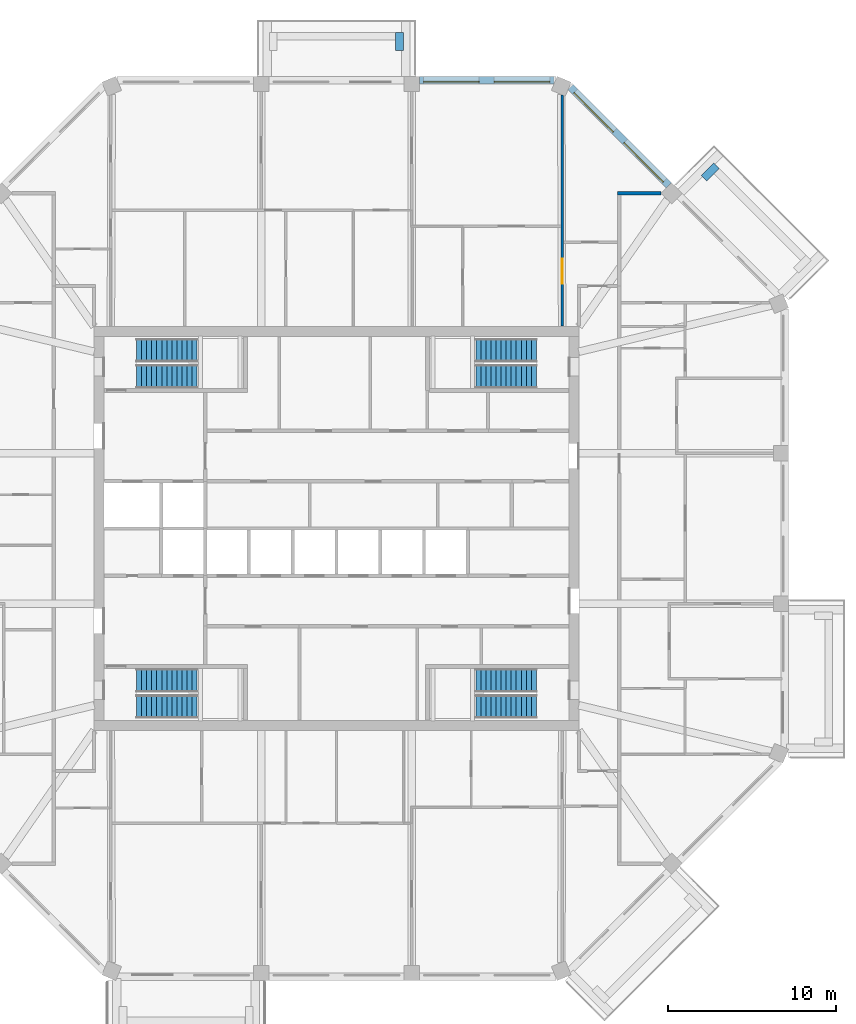
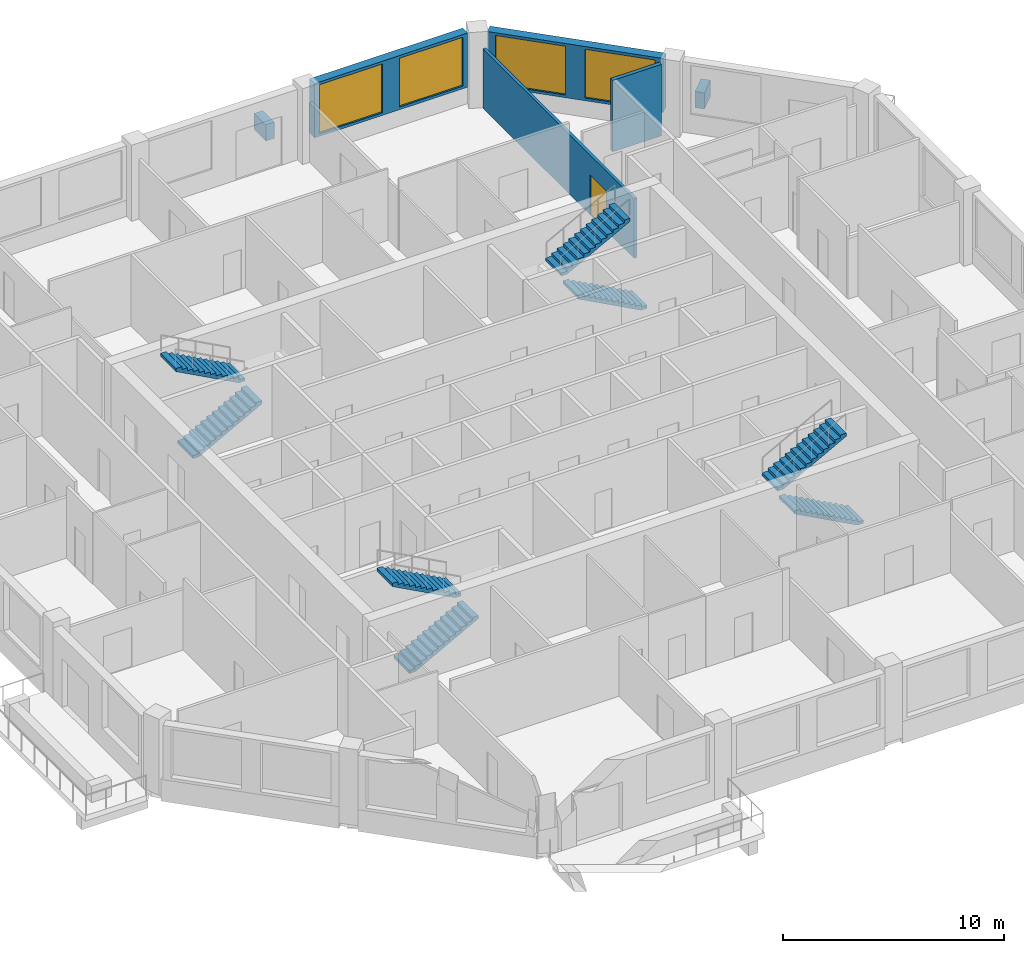
# One storey, part 10 of 11: 8 stair flights, 6 walls, 4 windows, 1 door, 5 openings, 4 elements without a shape of their own.
"""IFC4 building model written with IfcOpenShell, lengths in metres."""

import ifcopenshell
import ifcopenshell.guid

model = None  # the IFC model being written
_history = None  # IfcOwnerHistory: only IFC2X3 demands one
_inside = {}  # id of a spatial element -> (the spatial element, [elements in it])
_under = {}  # id of a project, library or spatial element -> (it, [spatial elements below it])
_declared = {}  # id of a project -> (the project, [libraries it declares])
_typed = {}  # id of a type object -> (the type object, [elements of that type])
_made_of = {}  # id of a material, layer set ... -> (it, [elements and type objects made of it])


def new_model(schema):
    """Start an empty IFC model of exactly this schema.

    Asked for "IFC4X3", IfcOpenShell would pick the latest addendum, in which some entities
    have other attributes; the version numbers below select the first issue.
    IFC2X3 requires an IfcOwnerHistory on every rooted entity: one is made here for all.
    """
    global model, _history
    if schema == "IFC4X3":
        model = ifcopenshell.file(schema_version=(4, 3, 0, 0))
    else:
        model = ifcopenshell.file(schema=schema)
    _inside.clear()
    _under.clear()
    _declared.clear()
    _typed.clear()
    _made_of.clear()
    _history = None
    if model.schema == "IFC2X3":
        org = make("IfcOrganization", Name="unknown")
        user = make(
            "IfcPersonAndOrganization",
            ThePerson=make("IfcPerson", FamilyName="unknown"),
            TheOrganization=org,
        )
        app = make(
            "IfcApplication",
            ApplicationDeveloper=org,
            Version="unknown",
            ApplicationFullName="unknown",
            ApplicationIdentifier="unknown",
        )
        _history = make(
            "IfcOwnerHistory",
            OwningUser=user,
            OwningApplication=app,
            ChangeAction="ADDED",
            CreationDate=0,
        )
    return model


def make(cls, **values):
    """One entity of the class cls with the attributes given. An attribute that is None is left unset."""
    return model.create_entity(
        cls, **{name: value for name, value in values.items() if value is not None}
    )


def rooted(cls, **values):
    """An entity with a GlobalId (a new one), such as an element, a storey or a relation."""
    return make(cls, GlobalId=ifcopenshell.guid.new(), OwnerHistory=_history, **values)


def si_unit(unit_type, name, prefix=None):
    """IfcSIUnit, for example si_unit("LENGTHUNIT", "METRE", prefix="MILLI")."""
    return make("IfcSIUnit", UnitType=unit_type, Prefix=prefix, Name=name)


def assignment(units):
    """IfcUnitAssignment: the units of a project."""
    return None if units is None else make("IfcUnitAssignment", Units=units)


def point(xyz):
    """IfcCartesianPoint."""
    return None if xyz is None else make("IfcCartesianPoint", Coordinates=xyz)


def direction(xyz):
    """IfcDirection."""
    return None if xyz is None else make("IfcDirection", DirectionRatios=xyz)


def frame(location, z_axis=None, x_axis=None):
    """IfcAxis2Placement3D, a coordinate frame: its origin and axes. An axis left out is left unset."""
    return make(
        "IfcAxis2Placement3D",
        Location=point(location),
        Axis=direction(z_axis),
        RefDirection=direction(x_axis),
    )


def frame_2d(location, x_axis=None):
    """IfcAxis2Placement2D, a coordinate frame in the plane: its origin and x axis."""
    return make(
        "IfcAxis2Placement2D", Location=point(location), RefDirection=direction(x_axis)
    )


def origin():
    """The frame at (0, 0, 0) with its axes left unset."""
    return frame((0.0, 0.0, 0.0))


def place(relative_to, where):
    """IfcLocalPlacement: puts the frame where relative to a parent placement (None: the world)."""
    return make(
        "IfcLocalPlacement", PlacementRelTo=relative_to, RelativePlacement=where
    )


def context(
    kind, dimensions, precision=None, world=None, true_north=None, identifier=None
):
    """IfcGeometricRepresentationContext, for example the 3D "Model" context."""
    return make(
        "IfcGeometricRepresentationContext",
        ContextIdentifier=identifier,
        ContextType=kind,
        CoordinateSpaceDimension=dimensions,
        Precision=precision,
        WorldCoordinateSystem=world,
        TrueNorth=true_north,
    )


def subcontext(parent, identifier, kind, view, scale=None):
    """IfcGeometricRepresentationSubContext, for example "Body" below "Model"."""
    return make(
        "IfcGeometricRepresentationSubContext",
        ContextIdentifier=identifier,
        ContextType=kind,
        ParentContext=parent,
        TargetScale=scale,
        TargetView=view,
    )


def project(units=None, contexts=None):
    """IfcProject with its units and contexts."""
    return rooted(
        "IfcProject",
        Name="project",
        RepresentationContexts=contexts,
        UnitsInContext=assignment(units),
    )


def spatial(cls, under=None, at=None, **own):
    """A site, building, storey or space (cls), placed at a placement, below another one or the project."""
    s = rooted(cls, ObjectPlacement=at, **own)
    if under is not None:
        _under.setdefault(under.id(), (under, []))[1].append(s)
    return s


def polyline(points):
    """IfcPolyline through the points."""
    return make("IfcPolyline", Points=[point(p) for p in points])


def profile(cls, at=None, kind="AREA", **sizes):
    """A parametric profile (cls). Its sizes go by their IFC names, for example OverallWidth=200.0."""
    return make(cls, ProfileType=kind, Position=at, **sizes)


def rectangle(**sizes):
    """IfcRectangleProfileDef."""
    return profile("IfcRectangleProfileDef", **sizes)


def outline(outer, holes=None, kind="AREA"):
    """IfcArbitraryClosedProfileDef: a profile drawn as a closed curve; with holes, ...WithVoids."""
    if holes is None:
        return make("IfcArbitraryClosedProfileDef", ProfileType=kind, OuterCurve=outer)
    return make(
        "IfcArbitraryProfileDefWithVoids",
        ProfileType=kind,
        OuterCurve=outer,
        InnerCurves=holes,
    )


def extrude(swept, where, along, depth):
    """IfcExtrudedAreaSolid: the profile swept, set in the frame where, extruded along a direction by depth."""
    return make(
        "IfcExtrudedAreaSolid",
        SweptArea=swept,
        Position=where,
        ExtrudedDirection=direction(along),
        Depth=depth,
    )


def shape(context_of_items, identifier, shape_type, items):
    """IfcShapeRepresentation: the items that make up one representation, for example the "Body"."""
    return make(
        "IfcShapeRepresentation",
        ContextOfItems=context_of_items,
        RepresentationIdentifier=identifier,
        RepresentationType=shape_type,
        Items=items,
    )


def material(Name=None, Category=None):
    """IfcMaterial."""
    return make("IfcMaterial", Name=Name, Category=Category)


def layer(
    of_material, thickness, ventilated=None, Name=None, Category=None, Priority=None
):
    """IfcMaterialLayer: one layer of a wall or slab, of a material (None: an air gap)."""
    return make(
        "IfcMaterialLayer",
        Material=of_material,
        LayerThickness=thickness,
        IsVentilated=ventilated,
        Name=Name,
        Category=Category,
        Priority=Priority,
    )


def layer_set(layers, Name=None):
    """IfcMaterialLayerSet."""
    return make("IfcMaterialLayerSet", MaterialLayers=layers, LayerSetName=Name)


def made_of(thing, what):
    """Note that an element or type object is made of a material, layer set ...; save() writes the relation."""
    if what is not None:
        _made_of.setdefault(what.id(), (what, []))[1].append(thing)
    return thing


def type_object(cls, material=None, **own):
    """A type object (cls), such as IfcWallType, which elements share."""
    return made_of(rooted(cls, **own), material)


def element(
    cls,
    number,
    at=None,
    inside=None,
    cuts=None,
    type_object=None,
    material=None,
    context=None,
    identifier="Body",
    shape_type=None,
    held_by="IfcProductDefinitionShape",
    body=None,
    shapes=None,
    **own,
):
    """One element of the class cls, such as IfcWall. Its Tag is "e" and its number.

    at: its placement. inside: the storey or other place that contains it. cuts: it is an
    opening in that element (IfcRelVoidsElement). A single representation is given by context,
    identifier, shape_type and body (its items); several are given by shapes. held_by: the class
    of the entity that holds the representations. save() writes the other relations.
    """
    e = rooted(cls, Tag="e%d" % number, ObjectPlacement=at, **own)
    if body is not None:
        shapes = [shape(context, identifier, shape_type, body)]
    if shapes is not None:
        e.Representation = make(held_by, Representations=shapes)
    if inside is not None:
        _inside.setdefault(inside.id(), (inside, []))[1].append(e)
    if cuts is not None:
        rooted(
            "IfcRelVoidsElement", RelatingBuildingElement=cuts, RelatedOpeningElement=e
        )
    if type_object is not None:
        _typed.setdefault(type_object.id(), (type_object, []))[1].append(e)
    return made_of(e, material)


def fill(opening, filler):
    """IfcRelFillsElement: the door or window that sits in an opening."""
    return rooted(
        "IfcRelFillsElement",
        RelatingOpeningElement=opening,
        RelatedBuildingElement=filler,
    )


def aggregate(whole, parts):
    """IfcRelAggregates: a whole, such as a stair, and the parts it consists of."""
    return rooted("IfcRelAggregates", RelatingObject=whole, RelatedObjects=parts)


def save(model, path):
    """Write the relations noted so far, then the file.

    IfcRelAggregates (storeys below a building ...), IfcRelContainedInSpatialStructure (elements
    in a storey), IfcRelDefinesByType, IfcRelAssociatesMaterial and IfcRelDeclares: one each for
    every whole, place, type object, material and project.
    """
    for whole, parts in _under.values():
        aggregate(whole, parts)
    for where, things in _inside.values():
        rooted(
            "IfcRelContainedInSpatialStructure",
            RelatedElements=things,
            RelatingStructure=where,
        )
    for kind, things in _typed.values():
        rooted("IfcRelDefinesByType", RelatedObjects=things, RelatingType=kind)
    for what, things in _made_of.values():
        rooted("IfcRelAssociatesMaterial", RelatedObjects=things, RelatingMaterial=what)
    for by, libraries in _declared.values():
        rooted("IfcRelDeclares", RelatingContext=by, RelatedDefinitions=libraries)
    model.write(path)


model = new_model("IFC4")

# Units and contexts
model_context = context("Model", 3, precision=1e-05, world=origin(), true_north=direction((0.0, 1.0)))
body_context = subcontext(model_context, "Body", "Model", "MODEL_VIEW")
ifc_project = project(units=[si_unit("LENGTHUNIT", "METRE"), si_unit("AREAUNIT", "SQUARE_METRE"), si_unit("VOLUMEUNIT", "CUBIC_METRE"), si_unit("PLANEANGLEUNIT", "RADIAN"), si_unit("MASSUNIT", "GRAM", prefix="KILO")], contexts=[model_context])

# Site, building, storey
site_placement = place(None, origin())
site = spatial("IfcSite", under=ifc_project, at=site_placement, CompositionType="ELEMENT")
building_placement = place(site_placement, origin())
building = spatial("IfcBuilding", under=site, at=building_placement, Name="Msitu Wima Residences", CompositionType="ELEMENT")
storey_placement = place(building_placement, frame((0.0, 0.0, 297.89990234375)))
storey = spatial("IfcBuildingStorey", under=building, at=storey_placement, Name="L69", CompositionType="ELEMENT", Elevation=297.89990234375)

# Walls
ifc_material_1 = material(Name="Facing brick")
ifc_layer_1 = layer(ifc_material_1, 0.06494140625, Name="Facing brick")
ifc_material_2 = material(Name="Concrete C40/50", Category="concrete")
ifc_layer_2 = layer(ifc_material_2, 0.156005859375, Name="Concrete C40/50")
ifc_material_3 = material(Name="Waterproofing membrane")
ifc_layer_3 = layer(ifc_material_3, 0.00390625, Name="Waterproofing membrane")
ifc_material_4 = material(Name="Planting soil and planting")
ifc_layer_4 = layer(ifc_material_4, 0.22509765625, Name="Planting soil and planting")
ifc_layer_set_1 = layer_set([ifc_layer_1, ifc_layer_2, ifc_layer_3, ifc_layer_4], Name="Concrete C40/50")
wall_type_1 = type_object("IfcWallType", Name="Balcony planter PLANTER PL450", PredefinedType="USERDEFINED", material=ifc_layer_set_1)
for number, where, z_axis, x_axis, name in (
    (1, (21.829833984375, 20.804443359375, 0.0), (0.0, 0.0, 1.0), (0.707106781187, 0.707106781187, 0.0), "Balcony planter NE0 L69"),
    (2, (3.74365234375, 28.39990234375, 0.0), (0.0, 0.0, 1.0), (0.0, 1.0, 0.0), "Balcony planter N1 L69"),
):
    element("IfcWall", number, at=place(storey_placement, frame(where, z_axis=z_axis, x_axis=x_axis)), inside=storey, type_object=wall_type_1, Name=name, ObjectType="PLANTER", PredefinedType="USERDEFINED", context=body_context, shape_type="SweptSolid", body=[
        extrude(rectangle(XDim=1.050048828125, YDim=0.449951171875, at=frame_2d((0.52490234375, 0.0))), origin(), (0.0, 0.0, 1.0), 0.900146484375),
    ])

# Wall, openings, windows
ifc_material_5 = material(Name="Brick (red buff mix)", Category="masonry")
ifc_layer_5 = layer(ifc_material_5, 0.449951171875)
ifc_layer_set_2 = layer_set([ifc_layer_5], Name="Brick (red buff mix)")
wall_type_2 = type_object("IfcWallType", Name="Brick infill wall BW450", PredefinedType="SOLIDWALL", material=ifc_layer_set_2)
wall_1_placement = place(storey_placement, frame((19.743896484375, 20.380126953125, 0.900146484375), z_axis=(0.0, 0.0, 1.0), x_axis=(-0.707106781187, 0.707106781187, 0.0)))
wall_1 = element("IfcWall", 3, at=wall_1_placement, inside=storey, type_object=wall_type_2, Name="Brick infill wall L69 NE1", PredefinedType="SOLIDWALL", context=body_context, shape_type="SweptSolid", body=[
    extrude(rectangle(XDim=8.251220703125, YDim=0.449951171875, at=frame_2d((4.12548828125, 0.0))), origin(), (0.0, 0.0, 1.0), 3.0),
])
opening_1_placement = place(wall_1_placement, frame((0.37548828125, 0.0, 0.14990234375)))
opening_1 = element("IfcOpeningElement", 4, at=opening_1_placement, cuts=wall_1, Name="Opening W68-70.012", PredefinedType="OPENING", context=body_context, shape_type="SweptSolid", body=[
    extrude(rectangle(XDim=3.300048828125, YDim=2.699951171875, at=frame_2d((1.64990234375, 1.35009765625))), frame((0.0, 0.23486328125, 0.0), z_axis=(0.0, -1.0, 0.0), x_axis=(1.0, 0.0, 0.0)), (0.0, 0.0, 1.0), 0.469970703125),
])
opening_2_placement = place(wall_1_placement, frame((4.57568359375, 0.0, 0.14990234375)))
opening_2 = element("IfcOpeningElement", 5, at=opening_2_placement, cuts=wall_1, Name="Opening W68-70.013", PredefinedType="OPENING", context=body_context, shape_type="SweptSolid", body=[
    extrude(rectangle(XDim=3.300048828125, YDim=2.699951171875, at=frame_2d((1.64990234375, 1.35009765625))), frame((0.0, 0.23486328125, 0.0), z_axis=(0.0, -1.0, 0.0), x_axis=(1.0, 0.0, 0.0)), (0.0, 0.0, 1.0), 0.469970703125),
])
ifc_material_6 = material(Name="Anodised aluminium, bronze finish, clear low-emissivity double glazing", Category="aluminium")
window_type = type_object("IfcWindowType", Name="Window W3300x2700", PartitioningType="DOUBLE_PANEL_VERTICAL", PredefinedType="WINDOW", material=ifc_material_6)
window_1_placement = place(opening_1_placement, origin())
window_1 = element("IfcWindow", 6, at=window_1_placement, inside=storey, type_object=window_type, Name="Window L69 NE1.1", OverallHeight=2.699951171875, OverallWidth=3.300048828125, PartitioningType="SINGLE_PANEL", PredefinedType="WINDOW", context=body_context, shape_type="SweptSolid", body=[
    extrude(rectangle(XDim=3.300048828125, YDim=2.699951171875, at=frame_2d((1.64990234375, 1.35009765625))), frame((0.0, 0.135009765625, 0.0), z_axis=(0.0, -1.0, 0.0), x_axis=(1.0, 0.0, 0.0)), (0.0, 0.0, 1.0), 0.06005859375),
])
fill(opening_1, window_1)
window_2_placement = place(opening_2_placement, origin())
window_2 = element("IfcWindow", 7, at=window_2_placement, inside=storey, type_object=window_type, Name="Window L69 NE1.2", OverallHeight=2.699951171875, OverallWidth=3.300048828125, PartitioningType="SINGLE_PANEL", PredefinedType="WINDOW", context=body_context, shape_type="SweptSolid", body=[
    extrude(rectangle(XDim=3.300048828125, YDim=2.699951171875, at=frame_2d((1.64990234375, 1.35009765625))), frame((0.0, 0.135009765625, 0.0), z_axis=(0.0, -1.0, 0.0), x_axis=(1.0, 0.0, 0.0)), (0.0, 0.0, 1.0), 0.06005859375),
])
fill(opening_2, window_2)

wall_2_placement = place(storey_placement, frame((12.918701171875, 26.625, 0.900146484375), z_axis=(0.0, 0.0, 1.0), x_axis=(-1.0, 0.0, 0.0)))
wall_2 = element("IfcWall", 8, at=wall_2_placement, inside=storey, type_object=wall_type_2, Name="Brick infill wall L69 N0", PredefinedType="SOLIDWALL", context=body_context, shape_type="SweptSolid", body=[
    extrude(rectangle(XDim=8.0, YDim=0.449951171875, at=frame_2d((4.0, 0.0))), origin(), (0.0, 0.0, 1.0), 3.0),
])
opening_3_placement = place(wall_2_placement, frame((0.25, 0.0, 0.14990234375)))
opening_3 = element("IfcOpeningElement", 9, at=opening_3_placement, cuts=wall_2, Name="Opening W68-70.006", PredefinedType="OPENING", context=body_context, shape_type="SweptSolid", body=[
    extrude(rectangle(XDim=3.300048828125, YDim=2.699951171875, at=frame_2d((1.64990234375, 1.35009765625))), frame((0.0, 0.23486328125, 0.0), z_axis=(0.0, -1.0, 0.0), x_axis=(1.0, 0.0, 0.0)), (0.0, 0.0, 1.0), 0.469970703125),
])
opening_4_placement = place(wall_2_placement, frame((4.4501953125, 0.0, 0.14990234375)))
opening_4 = element("IfcOpeningElement", 10, at=opening_4_placement, cuts=wall_2, Name="Opening W68-70.007", PredefinedType="OPENING", context=body_context, shape_type="SweptSolid", body=[
    extrude(rectangle(XDim=3.300048828125, YDim=2.699951171875, at=frame_2d((1.64990234375, 1.35009765625))), frame((0.0, 0.23486328125, 0.0), z_axis=(0.0, -1.0, 0.0), x_axis=(1.0, 0.0, 0.0)), (0.0, 0.0, 1.0), 0.469970703125),
])
window_3_placement = place(opening_3_placement, origin())
window_3 = element("IfcWindow", 11, at=window_3_placement, inside=storey, type_object=window_type, Name="Window L69 N0.1", OverallHeight=2.699951171875, OverallWidth=3.300048828125, PartitioningType="SINGLE_PANEL", PredefinedType="WINDOW", context=body_context, shape_type="SweptSolid", body=[
    extrude(rectangle(XDim=3.300048828125, YDim=2.699951171875, at=frame_2d((1.64990234375, 1.35009765625))), frame((0.0, 0.135009765625, 0.0), z_axis=(0.0, -1.0, 0.0), x_axis=(1.0, 0.0, 0.0)), (0.0, 0.0, 1.0), 0.06005859375),
])
fill(opening_3, window_3)
window_4_placement = place(opening_4_placement, origin())
window_4 = element("IfcWindow", 12, at=window_4_placement, inside=storey, type_object=window_type, Name="Window L69 N0.2", OverallHeight=2.699951171875, OverallWidth=3.300048828125, PartitioningType="SINGLE_PANEL", PredefinedType="WINDOW", context=body_context, shape_type="SweptSolid", body=[
    extrude(rectangle(XDim=3.300048828125, YDim=2.699951171875, at=frame_2d((1.64990234375, 1.35009765625))), frame((0.0, 0.135009765625, 0.0), z_axis=(0.0, -1.0, 0.0), x_axis=(1.0, 0.0, 0.0)), (0.0, 0.0, 1.0), 0.06005859375),
])
fill(opening_4, window_4)

# Wall, opening, door
ifc_material_7 = material(Name="Plaster")
ifc_layer_6 = layer(ifc_material_7, 0.011962890625, Name="Plaster")
ifc_material_8 = material(Name="Concrete blockwork", Category="masonry")
ifc_layer_7 = layer(ifc_material_8, 0.1259765625, Name="Concrete blockwork")
ifc_layer_8 = layer(ifc_material_7, 0.011962890625, Name="Plaster")
ifc_layer_set_3 = layer_set([ifc_layer_6, ifc_layer_7, ifc_layer_8], Name="Concrete blockwork")
wall_type_3 = type_object("IfcWallType", Name="Partition PW150", PredefinedType="PARTITIONING", material=ifc_layer_set_3)
wall_3_placement = place(storey_placement, frame((13.406005859375, 12.030029296875, 0.0), z_axis=(0.0, 0.0, 1.0), x_axis=(0.0, 1.0, 0.0)))
wall_3 = element("IfcWall", 13, at=wall_3_placement, inside=storey, type_object=wall_type_3, Name="Partition", PredefinedType="PARTITIONING", context=body_context, shape_type="SweptSolid", body=[
    extrude(rectangle(XDim=13.701171875, YDim=0.14990234375, at=frame_2d((6.8505859375, 0.0))), origin(), (0.0, 0.0, 1.0), 3.300048828125),
])
opening_5_placement = place(wall_3_placement, frame((2.5, 0.0, 0.0)))
opening_5 = element("IfcOpeningElement", 14, at=opening_5_placement, cuts=wall_3, Name="Opening D68-70.022", PredefinedType="OPENING", context=body_context, shape_type="SweptSolid", body=[
    extrude(rectangle(XDim=1.5, YDim=2.199951171875, at=frame_2d((0.75, 1.10009765625))), frame((0.0, 0.0849609375, 0.0), z_axis=(0.0, -1.0, 0.0), x_axis=(1.0, 0.0, 0.0)), (0.0, 0.0, 1.0), 0.169921875),
])
ifc_material_9 = material(Name="Timber double door", Category="wood")
door_type = type_object("IfcDoorType", Name="Double door D04 1500x2200", OperationType="DOUBLE_DOOR_SINGLE_SWING", PredefinedType="DOOR", material=ifc_material_9)
door_placement = place(opening_5_placement, origin())
door = element("IfcDoor", 15, at=door_placement, inside=storey, type_object=door_type, Name="Double door", OperationType="DOUBLE_DOOR_SINGLE_SWING", OverallHeight=2.199951171875, OverallWidth=1.5, PredefinedType="DOOR", context=body_context, shape_type="SweptSolid", body=[
    extrude(rectangle(XDim=1.5, YDim=2.199951171875, at=frame_2d((0.75, 1.10009765625))), frame((0.0, 0.02490234375, 0.0), z_axis=(0.0, -1.0, 0.0), x_axis=(1.0, 0.0, 0.0)), (0.0, 0.0, 1.0), 0.050048828125),
])
fill(opening_5, door)

# Wall
ifc_layer_9 = layer(ifc_material_7, 0.011962890625, Name="Plaster")
ifc_material_10 = material(Name="Dense concrete blockwork", Category="masonry")
ifc_layer_10 = layer(ifc_material_10, 0.176025390625, Name="Dense concrete blockwork")
ifc_layer_11 = layer(ifc_material_7, 0.011962890625, Name="Plaster")
ifc_layer_set_4 = layer_set([ifc_layer_9, ifc_layer_10, ifc_layer_11], Name="Dense concrete blockwork")
wall_type_4 = type_object("IfcWallType", Name="Party wall PW200", PredefinedType="PARTITIONING", material=ifc_layer_set_4)
wall_4_placement = place(storey_placement, frame((16.699951171875, 19.90283203125, 0.0), z_axis=(0.0, 0.0, 1.0), x_axis=(1.0, 0.0, 0.0)))
element("IfcWall", 16, at=wall_4_placement, inside=storey, type_object=wall_type_4, Name="Party wall", PredefinedType="PARTITIONING", context=body_context, shape_type="SweptSolid", body=[
    extrude(rectangle(XDim=2.566650390625, YDim=0.199951171875, at=frame_2d((1.283203125, 0.0))), origin(), (0.0, 0.0, 1.0), 3.9501953125),
])

# Stair, stair flights
stair_type = type_object("IfcStairType", Name="Exit stair ES1615-140", PredefinedType="HALF_TURN_STAIR", material=ifc_material_2)
stair_1_placement = place(storey_placement, origin())
stair_1 = element("IfcStair", 17, at=stair_1_placement, inside=storey, type_object=stair_type, Name="Exit stair 1", PredefinedType="HALF_TURN_STAIR")
stair_flight_type = type_object("IfcStairFlightType", Name="Exit stair flight ES1615-140", PredefinedType="STRAIGHT", material=ifc_material_2)
stair_flight_1_placement = place(storey_placement, frame((-11.875, 9.02490234375, 0.0), z_axis=(0.0, 0.0, 1.0), x_axis=(1.0, 0.0, 0.0)))
stair_flight_1 = element("IfcStairFlight", 18, at=stair_flight_1_placement, type_object=stair_flight_type, Name="S1 flight 1", NumberOfRisers=13, NumberOfTreads=12, PredefinedType="STRAIGHT", RiserHeight=0.161538462, TreadLength=0.3, context=body_context, shape_type="SweptSolid", body=[
    extrude(outline(polyline([(0.0, 0.0), (0.0, 0.16162109375), (0.300048828125, 0.16162109375), (0.300048828125, 0.322998046875), (0.60009765625, 0.322998046875), (0.60009765625, 0.484619140625), (0.89990234375, 0.484619140625), (0.89990234375, 0.646240234375), (1.199951171875, 0.646240234375), (1.199951171875, 0.8076171875), (1.5, 0.8076171875), (1.5, 0.96923828125), (1.800048828125, 0.96923828125), (1.800048828125, 1.130859375), (2.10009765625, 1.130859375), (2.10009765625, 1.292236328125), (2.39990234375, 1.292236328125), (2.39990234375, 1.453857421875), (2.699951171875, 1.453857421875), (2.699951171875, 1.615478515625), (3.0, 1.615478515625), (3.0, 1.77685546875), (3.300048828125, 1.77685546875), (3.300048828125, 1.9384765625), (3.60009765625, 1.9384765625), (3.60009765625, 2.10009765625), (3.60009765625, 1.768310546875), (0.316162109375, 0.0), (0.0, 0.0)])), frame((0.0, 0.699951171875, 0.0), z_axis=(0.0, -1.0, 0.0), x_axis=(1.0, 0.0, 0.0)), (0.0, 0.0, 1.0), 1.39990234375),
])
stair_flight_2_placement = place(storey_placement, frame((-8.27490234375, 10.574951171875, 2.10009765625), z_axis=(0.0, 0.0, 1.0), x_axis=(-1.0, 0.0, 0.0)))
stair_flight_2 = element("IfcStairFlight", 19, at=stair_flight_2_placement, type_object=stair_flight_type, Name="S1 flight 2", NumberOfRisers=13, NumberOfTreads=12, PredefinedType="STRAIGHT", RiserHeight=0.161538462, TreadLength=0.3, context=body_context, shape_type="SweptSolid", body=[
    extrude(outline(polyline([(0.0, 0.0), (0.0, 0.16162109375), (0.300048828125, 0.16162109375), (0.300048828125, 0.322998046875), (0.60009765625, 0.322998046875), (0.60009765625, 0.484619140625), (0.89990234375, 0.484619140625), (0.89990234375, 0.646240234375), (1.199951171875, 0.646240234375), (1.199951171875, 0.8076171875), (1.5, 0.8076171875), (1.5, 0.96923828125), (1.800048828125, 0.96923828125), (1.800048828125, 1.130859375), (2.10009765625, 1.130859375), (2.10009765625, 1.292236328125), (2.39990234375, 1.292236328125), (2.39990234375, 1.453857421875), (2.699951171875, 1.453857421875), (2.699951171875, 1.615478515625), (3.0, 1.615478515625), (3.0, 1.77685546875), (3.300048828125, 1.77685546875), (3.300048828125, 1.9384765625), (3.60009765625, 1.9384765625), (3.60009765625, 2.10009765625), (3.60009765625, 1.768310546875), (0.316162109375, 0.0), (0.0, 0.0)])), frame((0.0, 0.699951171875, 0.0), z_axis=(0.0, -1.0, 0.0), x_axis=(1.0, 0.0, 0.0)), (0.0, 0.0, 1.0), 1.39990234375),
])
aggregate(stair_1, [stair_flight_1, stair_flight_2])

stair_2_placement = place(storey_placement, origin())
stair_2 = element("IfcStair", 20, at=stair_2_placement, inside=storey, type_object=stair_type, Name="Exit stair 2", PredefinedType="HALF_TURN_STAIR")
stair_flight_3_placement = place(storey_placement, frame((-11.875, -10.574951171875, 0.0), z_axis=(0.0, 0.0, 1.0), x_axis=(1.0, 0.0, 0.0)))
stair_flight_3 = element("IfcStairFlight", 21, at=stair_flight_3_placement, type_object=stair_flight_type, Name="S2 flight 1", NumberOfRisers=13, NumberOfTreads=12, PredefinedType="STRAIGHT", RiserHeight=0.161538462, TreadLength=0.3, context=body_context, shape_type="SweptSolid", body=[
    extrude(outline(polyline([(0.0, 0.0), (0.0, 0.16162109375), (0.300048828125, 0.16162109375), (0.300048828125, 0.322998046875), (0.60009765625, 0.322998046875), (0.60009765625, 0.484619140625), (0.89990234375, 0.484619140625), (0.89990234375, 0.646240234375), (1.199951171875, 0.646240234375), (1.199951171875, 0.8076171875), (1.5, 0.8076171875), (1.5, 0.96923828125), (1.800048828125, 0.96923828125), (1.800048828125, 1.130859375), (2.10009765625, 1.130859375), (2.10009765625, 1.292236328125), (2.39990234375, 1.292236328125), (2.39990234375, 1.453857421875), (2.699951171875, 1.453857421875), (2.699951171875, 1.615478515625), (3.0, 1.615478515625), (3.0, 1.77685546875), (3.300048828125, 1.77685546875), (3.300048828125, 1.9384765625), (3.60009765625, 1.9384765625), (3.60009765625, 2.10009765625), (3.60009765625, 1.768310546875), (0.316162109375, 0.0), (0.0, 0.0)])), frame((0.0, 0.699951171875, 0.0), z_axis=(0.0, -1.0, 0.0), x_axis=(1.0, 0.0, 0.0)), (0.0, 0.0, 1.0), 1.39990234375),
])
stair_flight_4_placement = place(storey_placement, frame((-8.27490234375, -9.02490234375, 2.10009765625), z_axis=(0.0, 0.0, 1.0), x_axis=(-1.0, 0.0, 0.0)))
stair_flight_4 = element("IfcStairFlight", 22, at=stair_flight_4_placement, type_object=stair_flight_type, Name="S2 flight 2", NumberOfRisers=13, NumberOfTreads=12, PredefinedType="STRAIGHT", RiserHeight=0.161538462, TreadLength=0.3, context=body_context, shape_type="SweptSolid", body=[
    extrude(outline(polyline([(0.0, 0.0), (0.0, 0.16162109375), (0.300048828125, 0.16162109375), (0.300048828125, 0.322998046875), (0.60009765625, 0.322998046875), (0.60009765625, 0.484619140625), (0.89990234375, 0.484619140625), (0.89990234375, 0.646240234375), (1.199951171875, 0.646240234375), (1.199951171875, 0.8076171875), (1.5, 0.8076171875), (1.5, 0.96923828125), (1.800048828125, 0.96923828125), (1.800048828125, 1.130859375), (2.10009765625, 1.130859375), (2.10009765625, 1.292236328125), (2.39990234375, 1.292236328125), (2.39990234375, 1.453857421875), (2.699951171875, 1.453857421875), (2.699951171875, 1.615478515625), (3.0, 1.615478515625), (3.0, 1.77685546875), (3.300048828125, 1.77685546875), (3.300048828125, 1.9384765625), (3.60009765625, 1.9384765625), (3.60009765625, 2.10009765625), (3.60009765625, 1.768310546875), (0.316162109375, 0.0), (0.0, 0.0)])), frame((0.0, 0.699951171875, 0.0), z_axis=(0.0, -1.0, 0.0), x_axis=(1.0, 0.0, 0.0)), (0.0, 0.0, 1.0), 1.39990234375),
])
aggregate(stair_2, [stair_flight_3, stair_flight_4])

stair_3_placement = place(storey_placement, origin())
stair_3 = element("IfcStair", 23, at=stair_3_placement, inside=storey, type_object=stair_type, Name="Exit stair 3", PredefinedType="HALF_TURN_STAIR")
stair_flight_5_placement = place(storey_placement, frame((11.875, 9.02490234375, 0.0), z_axis=(0.0, 0.0, 1.0), x_axis=(-1.0, 0.0, 0.0)))
stair_flight_5 = element("IfcStairFlight", 24, at=stair_flight_5_placement, type_object=stair_flight_type, Name="S3 flight 1", NumberOfRisers=13, NumberOfTreads=12, PredefinedType="STRAIGHT", RiserHeight=0.161538462, TreadLength=0.3, context=body_context, shape_type="SweptSolid", body=[
    extrude(outline(polyline([(0.0, 0.0), (0.0, 0.16162109375), (0.300048828125, 0.16162109375), (0.300048828125, 0.322998046875), (0.60009765625, 0.322998046875), (0.60009765625, 0.484619140625), (0.89990234375, 0.484619140625), (0.89990234375, 0.646240234375), (1.199951171875, 0.646240234375), (1.199951171875, 0.8076171875), (1.5, 0.8076171875), (1.5, 0.96923828125), (1.800048828125, 0.96923828125), (1.800048828125, 1.130859375), (2.10009765625, 1.130859375), (2.10009765625, 1.292236328125), (2.39990234375, 1.292236328125), (2.39990234375, 1.453857421875), (2.699951171875, 1.453857421875), (2.699951171875, 1.615478515625), (3.0, 1.615478515625), (3.0, 1.77685546875), (3.300048828125, 1.77685546875), (3.300048828125, 1.9384765625), (3.60009765625, 1.9384765625), (3.60009765625, 2.10009765625), (3.60009765625, 1.768310546875), (0.316162109375, 0.0), (0.0, 0.0)])), frame((0.0, 0.699951171875, 0.0), z_axis=(0.0, -1.0, 0.0), x_axis=(1.0, 0.0, 0.0)), (0.0, 0.0, 1.0), 1.39990234375),
])
stair_flight_6_placement = place(storey_placement, frame((8.27490234375, 10.574951171875, 2.10009765625), z_axis=(0.0, 0.0, 1.0), x_axis=(1.0, 0.0, 0.0)))
stair_flight_6 = element("IfcStairFlight", 25, at=stair_flight_6_placement, type_object=stair_flight_type, Name="S3 flight 2", NumberOfRisers=13, NumberOfTreads=12, PredefinedType="STRAIGHT", RiserHeight=0.161538462, TreadLength=0.3, context=body_context, shape_type="SweptSolid", body=[
    extrude(outline(polyline([(0.0, 0.0), (0.0, 0.16162109375), (0.300048828125, 0.16162109375), (0.300048828125, 0.322998046875), (0.60009765625, 0.322998046875), (0.60009765625, 0.484619140625), (0.89990234375, 0.484619140625), (0.89990234375, 0.646240234375), (1.199951171875, 0.646240234375), (1.199951171875, 0.8076171875), (1.5, 0.8076171875), (1.5, 0.96923828125), (1.800048828125, 0.96923828125), (1.800048828125, 1.130859375), (2.10009765625, 1.130859375), (2.10009765625, 1.292236328125), (2.39990234375, 1.292236328125), (2.39990234375, 1.453857421875), (2.699951171875, 1.453857421875), (2.699951171875, 1.615478515625), (3.0, 1.615478515625), (3.0, 1.77685546875), (3.300048828125, 1.77685546875), (3.300048828125, 1.9384765625), (3.60009765625, 1.9384765625), (3.60009765625, 2.10009765625), (3.60009765625, 1.768310546875), (0.316162109375, 0.0), (0.0, 0.0)])), frame((0.0, 0.699951171875, 0.0), z_axis=(0.0, -1.0, 0.0), x_axis=(1.0, 0.0, 0.0)), (0.0, 0.0, 1.0), 1.39990234375),
])
aggregate(stair_3, [stair_flight_5, stair_flight_6])

stair_4_placement = place(storey_placement, origin())
stair_4 = element("IfcStair", 26, at=stair_4_placement, inside=storey, type_object=stair_type, Name="Exit stair 4", PredefinedType="HALF_TURN_STAIR")
stair_flight_7_placement = place(storey_placement, frame((11.875, -10.574951171875, 0.0), z_axis=(0.0, 0.0, 1.0), x_axis=(-1.0, 0.0, 0.0)))
stair_flight_7 = element("IfcStairFlight", 27, at=stair_flight_7_placement, type_object=stair_flight_type, Name="S4 flight 1", NumberOfRisers=13, NumberOfTreads=12, PredefinedType="STRAIGHT", RiserHeight=0.161538462, TreadLength=0.3, context=body_context, shape_type="SweptSolid", body=[
    extrude(outline(polyline([(0.0, 0.0), (0.0, 0.16162109375), (0.300048828125, 0.16162109375), (0.300048828125, 0.322998046875), (0.60009765625, 0.322998046875), (0.60009765625, 0.484619140625), (0.89990234375, 0.484619140625), (0.89990234375, 0.646240234375), (1.199951171875, 0.646240234375), (1.199951171875, 0.8076171875), (1.5, 0.8076171875), (1.5, 0.96923828125), (1.800048828125, 0.96923828125), (1.800048828125, 1.130859375), (2.10009765625, 1.130859375), (2.10009765625, 1.292236328125), (2.39990234375, 1.292236328125), (2.39990234375, 1.453857421875), (2.699951171875, 1.453857421875), (2.699951171875, 1.615478515625), (3.0, 1.615478515625), (3.0, 1.77685546875), (3.300048828125, 1.77685546875), (3.300048828125, 1.9384765625), (3.60009765625, 1.9384765625), (3.60009765625, 2.10009765625), (3.60009765625, 1.768310546875), (0.316162109375, 0.0), (0.0, 0.0)])), frame((0.0, 0.699951171875, 0.0), z_axis=(0.0, -1.0, 0.0), x_axis=(1.0, 0.0, 0.0)), (0.0, 0.0, 1.0), 1.39990234375),
])
stair_flight_8_placement = place(storey_placement, frame((8.27490234375, -9.02490234375, 2.10009765625), z_axis=(0.0, 0.0, 1.0), x_axis=(1.0, 0.0, 0.0)))
stair_flight_8 = element("IfcStairFlight", 28, at=stair_flight_8_placement, type_object=stair_flight_type, Name="S4 flight 2", NumberOfRisers=13, NumberOfTreads=12, PredefinedType="STRAIGHT", RiserHeight=0.161538462, TreadLength=0.3, context=body_context, shape_type="SweptSolid", body=[
    extrude(outline(polyline([(0.0, 0.0), (0.0, 0.16162109375), (0.300048828125, 0.16162109375), (0.300048828125, 0.322998046875), (0.60009765625, 0.322998046875), (0.60009765625, 0.484619140625), (0.89990234375, 0.484619140625), (0.89990234375, 0.646240234375), (1.199951171875, 0.646240234375), (1.199951171875, 0.8076171875), (1.5, 0.8076171875), (1.5, 0.96923828125), (1.800048828125, 0.96923828125), (1.800048828125, 1.130859375), (2.10009765625, 1.130859375), (2.10009765625, 1.292236328125), (2.39990234375, 1.292236328125), (2.39990234375, 1.453857421875), (2.699951171875, 1.453857421875), (2.699951171875, 1.615478515625), (3.0, 1.615478515625), (3.0, 1.77685546875), (3.300048828125, 1.77685546875), (3.300048828125, 1.9384765625), (3.60009765625, 1.9384765625), (3.60009765625, 2.10009765625), (3.60009765625, 1.768310546875), (0.316162109375, 0.0), (0.0, 0.0)])), frame((0.0, 0.699951171875, 0.0), z_axis=(0.0, -1.0, 0.0), x_axis=(1.0, 0.0, 0.0)), (0.0, 0.0, 1.0), 1.39990234375),
])
aggregate(stair_4, [stair_flight_7, stair_flight_8])

save(model, "model.ifc")
